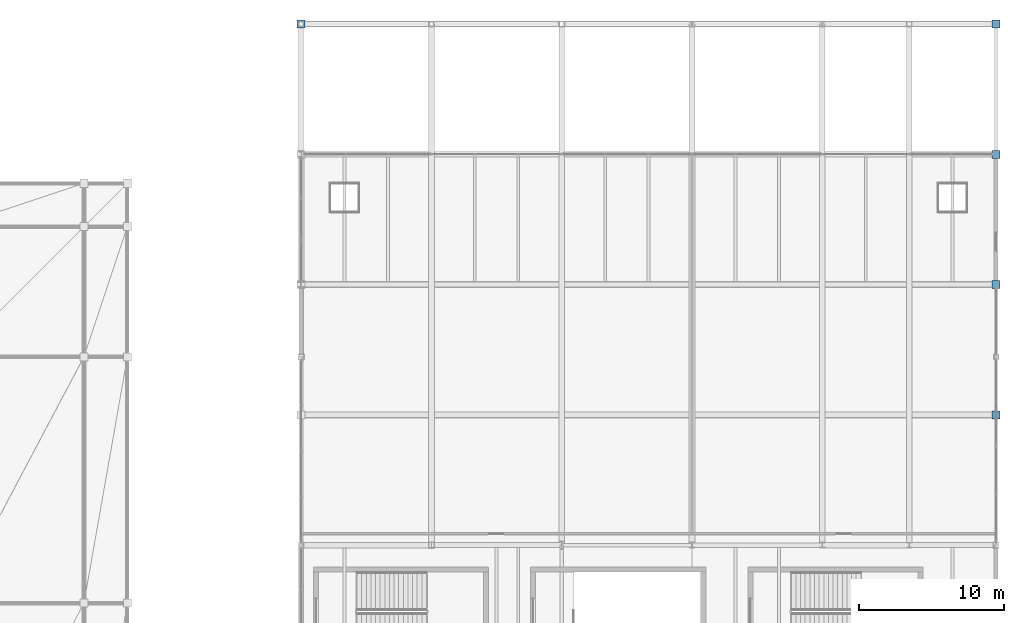
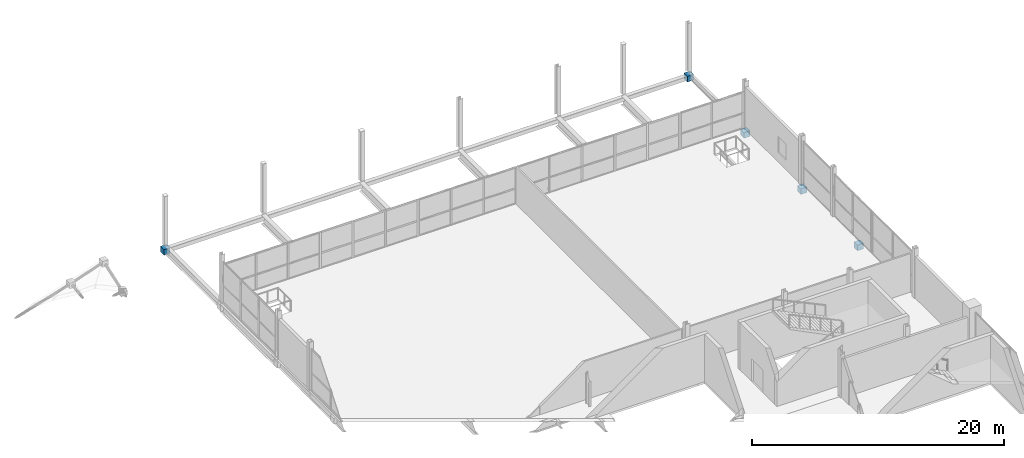
# One storey, part 58 of 69: 5 discrete accessories.
"""IFC4 building model written with IfcOpenShell, lengths in metres."""

from ifc_helpers import new_model, si_unit, direction, frame, origin, origin_2d, place, context, subcontext, project, spatial, rectangle, extrude, material, type_object, element, save


model = new_model("IFC4")

# Units and contexts
model_context = context("Model", 3, precision=1e-05, world=origin(), true_north=direction((0.0, 1.0)))
body_context = subcontext(model_context, "Body", "Model", "MODEL_VIEW")
ifc_project = project(units=[si_unit("LENGTHUNIT", "METRE"), si_unit("AREAUNIT", "SQUARE_METRE"), si_unit("VOLUMEUNIT", "CUBIC_METRE"), si_unit("PLANEANGLEUNIT", "RADIAN"), si_unit("MASSUNIT", "GRAM", prefix="KILO")], contexts=[model_context])

# Site, building, storey
site_placement = place(None, origin())
site = spatial("IfcSite", under=ifc_project, at=site_placement, CompositionType="ELEMENT")
building_placement = place(site_placement, origin())
building = spatial("IfcBuilding", under=site, at=building_placement, Name="Qamarlyn Nura Convention Centre", CompositionType="ELEMENT")
storey_placement = place(building_placement, frame((0.0, 0.0, 15.60009765625)))
storey = spatial("IfcBuildingStorey", under=building, at=storey_placement, Name="L03", CompositionType="ELEMENT", Elevation=15.60009765625)

# Discrete accessories
ifc_material = material(Name="Pearl-white PVDF steel ASTM A500 Grade C", Category="steel")
discrete_accessory_type = type_object("IfcDiscreteAccessoryType", Name="ACC-SF-NODE", PredefinedType="USERDEFINED", material=ifc_material)
for number, where, z_axis, x_axis, name in (
    (1, (192.0, 99.0, -0.77490234375), (0.0, 0.0, 1.0), (1.0, 0.0, 0.0), "Plenary truss node 99-192"),
    (2, (192.0, 108.0, -0.77490234375), (0.0, 0.0, 1.0), (1.0, 0.0, 0.0), "Plenary truss node 108-192"),
    (3, (192.0, 117.0, -0.77490234375), (0.0, 0.0, 1.0), (1.0, 0.0, 0.0), "Plenary truss node 117-192"),
    (4, (144.0, 126.0, -0.77490234375), (0.0, 0.0, 1.0), (1.0, 0.0, 0.0), "Plenary truss node 126-144"),
    (5, (192.0, 126.0, -0.77490234375), (0.0, 0.0, 1.0), (1.0, 0.0, 0.0), "Plenary truss node 126-192"),
):
    element("IfcDiscreteAccessory", number, at=place(storey_placement, frame(where, z_axis=z_axis, x_axis=x_axis)), inside=storey, type_object=discrete_accessory_type, Name=name, ObjectType="SPACE FRAME NODE", PredefinedType="USERDEFINED", context=body_context, shape_type="SweptSolid", body=[
        extrude(rectangle(XDim=0.550048828125, YDim=0.550048828125, at=origin_2d()), origin(), (0.0, 0.0, 1.0), 0.550048828125),
    ])

save(model, "model.ifc")
